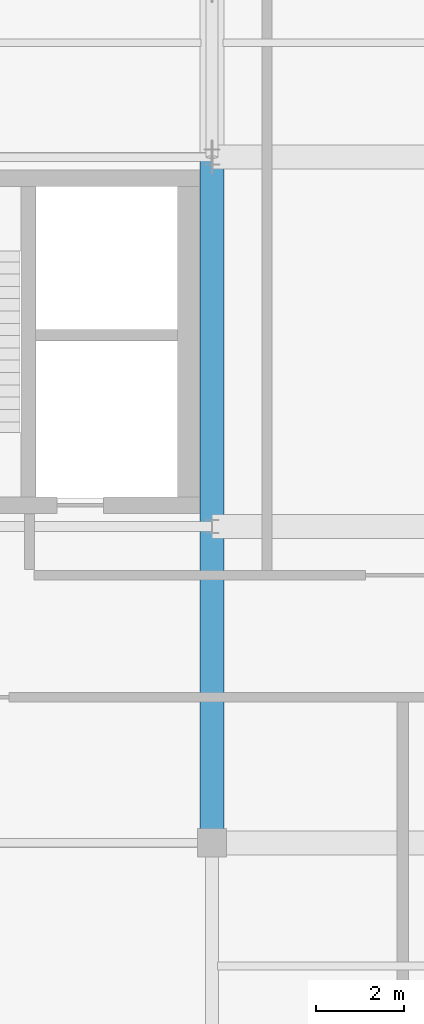
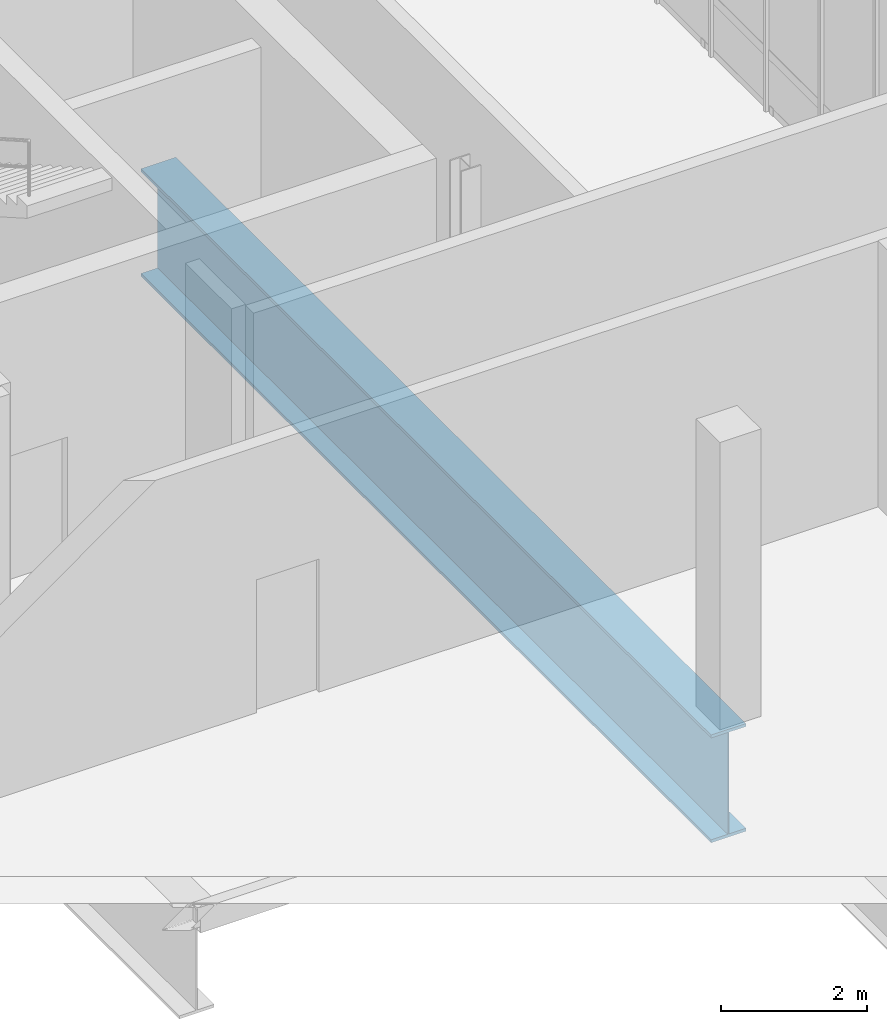
# One storey, part 24 of 81: 1 beam.
"""IFC4 building model written with IfcOpenShell, lengths in metres."""

from ifc_helpers import new_model, si_unit, direction, frame, origin_with_axes, origin_2d_with_axis, place, context, subcontext, project, spatial, i_section, extrude, material, material_profile, profile_set, type_object, element, save


model = new_model("IFC4")

# Units and contexts
model_context = context("Model", 3, precision=1e-05, world=origin_with_axes(), true_north=direction((0.0, 1.0)))
body_context = subcontext(model_context, "Body", "Model", "MODEL_VIEW")
ifc_project = project(units=[si_unit("LENGTHUNIT", "METRE"), si_unit("AREAUNIT", "SQUARE_METRE"), si_unit("VOLUMEUNIT", "CUBIC_METRE"), si_unit("PLANEANGLEUNIT", "RADIAN"), si_unit("MASSUNIT", "GRAM", prefix="KILO"), si_unit("THERMODYNAMICTEMPERATUREUNIT", "KELVIN")], contexts=[model_context])

# Site, building, storey
site_placement = place(None, origin_with_axes())
site = spatial("IfcSite", under=ifc_project, at=site_placement, CompositionType="ELEMENT")
building_placement = place(site_placement, origin_with_axes())
building = spatial("IfcBuilding", under=site, at=building_placement, Name="Montbau Bow Law Courts", CompositionType="ELEMENT")
storey_placement = place(building_placement, frame((0.0, 0.0, 24.9), z_axis=(0.0, 0.0, 1.0), x_axis=(1.0, 0.0, 0.0)))
storey = spatial("IfcBuildingStorey", under=building, at=storey_placement, Name="L05", CompositionType="ELEMENT", Elevation=24.9)

# Beam
ifc_material = material(Name="Steel CSA G40.21 Grade 350WT (350 MPa)", Category="steel")
ifc_material_profile = material_profile(ifc_material, i_section(OverallWidth=0.55, OverallDepth=1.8, WebThickness=0.022, FlangeThickness=0.05, at=origin_2d_with_axis()), Name="WWF1800X550", Category="Main", Priority=0)
ifc_profile_set = profile_set([ifc_material_profile], Name="Steel CSA G40.21 Grade 350WT (350 MPa)")
beam_type = type_object("IfcBeamType", Name="B-TRG-01", PredefinedType="USERDEFINED", material=ifc_profile_set)
beam_placement = place(None, frame((39.0, 39.0, 23.7), z_axis=(0.0, 1.0, 0.0), x_axis=(-1.0, 0.0, 0.0)))
element("IfcBeam", 1, at=beam_placement, inside=storey, type_object=beam_type, Name="TRG-L05-S0039:bm2_0042", ObjectType="GIRDER", PredefinedType="USERDEFINED", context=body_context, shape_type="SweptSolid", body=[
    extrude(i_section(OverallWidth=0.55, OverallDepth=1.8, WebThickness=0.022, FlangeThickness=0.05, at=origin_2d_with_axis()), origin_with_axes(), (0.0, 0.0, 1.0), 15.6),
])

save(model, "model.ifc")
